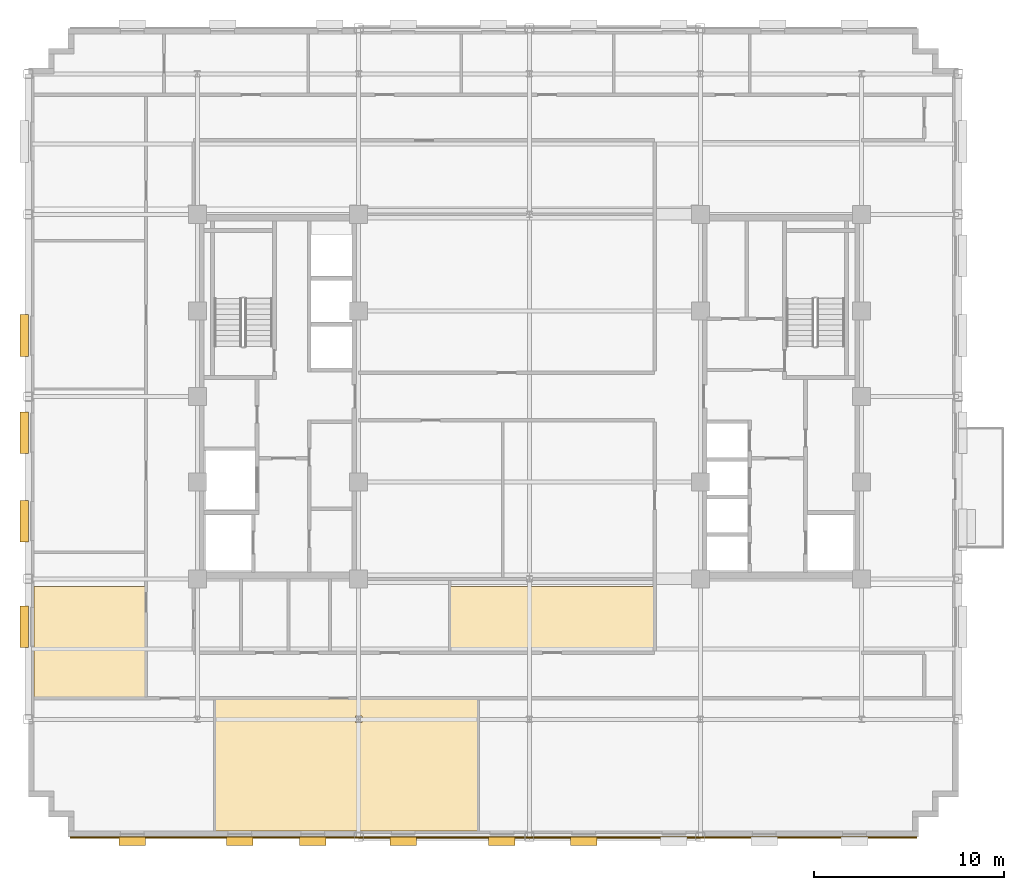
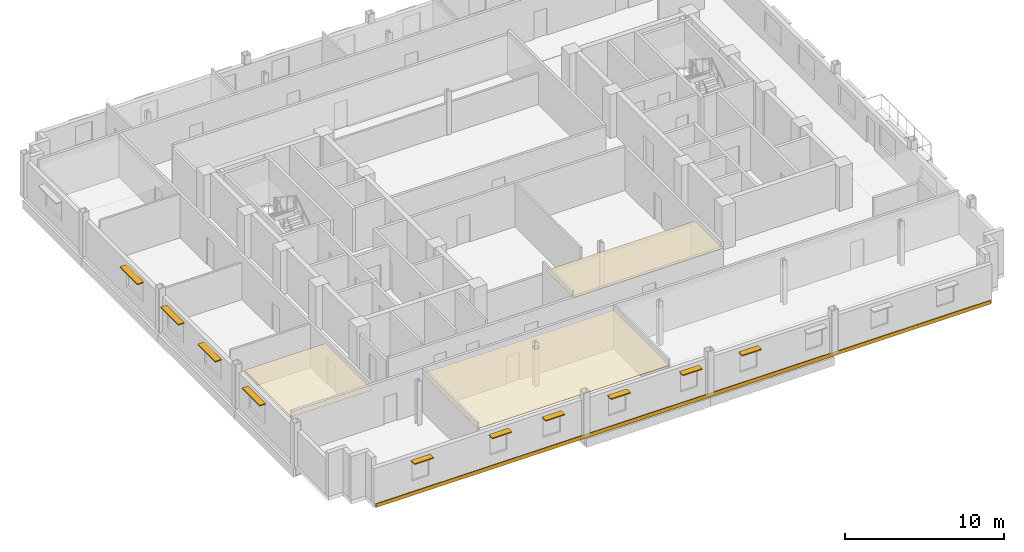
# One storey, part 11 of 15: 10 shading devices, 4 coverings.
"""IFC4 building model written with IfcOpenShell, lengths in metres."""

from ifc_helpers import new_model, si_unit, direction, frame, origin, origin_2d, place, context, subcontext, project, spatial, polyline, rectangle, outline, extrude, source, transform, mapped, material, layer, layer_set, type_object, type_shapes, element, save


model = new_model("IFC4")

# Units and contexts
model_context = context("Model", 3, precision=1e-05, world=origin(), true_north=direction((0.0, 1.0)))
body_context = subcontext(model_context, "Body", "Model", "MODEL_VIEW")
ifc_project = project(units=[si_unit("LENGTHUNIT", "METRE"), si_unit("AREAUNIT", "SQUARE_METRE"), si_unit("VOLUMEUNIT", "CUBIC_METRE"), si_unit("PLANEANGLEUNIT", "RADIAN"), si_unit("MASSUNIT", "GRAM", prefix="KILO")], contexts=[model_context])

# Site, building, storey
site_placement = place(None, origin())
site = spatial("IfcSite", under=ifc_project, at=site_placement, CompositionType="ELEMENT")
building_placement = place(site_placement, origin())
building = spatial("IfcBuilding", under=site, at=building_placement, Name="Nuvemarco Arch Tower", CompositionType="ELEMENT")
storey_placement = place(building_placement, frame((0.0, 0.0, 201.85009765625)))
storey = spatial("IfcBuildingStorey", under=building, at=storey_placement, Name="L53", CompositionType="ELEMENT", Elevation=201.85009765625)

# Coverings
ifc_material_1 = material(Name="Mineral acoustic ceiling tile")
ifc_layer_1 = layer(ifc_material_1, 0.0400390625, Name="COV-ACOUSTIC-CLG")
ifc_layer_set_1 = layer_set([ifc_layer_1], Name="Mineral acoustic ceiling tile")
covering_type_1 = type_object("IfcCoveringType", Name="COV-ACOUSTIC-CLG", PredefinedType="CEILING", material=ifc_layer_set_1)
covering_1_placement = place(storey_placement, frame((0.0, 0.0, 2.849853515625)))
element("IfcCovering", 1, at=covering_1_placement, inside=storey, type_object=covering_type_1, Name="L53 suspended acoustic ceiling 3", PredefinedType="CEILING", context=body_context, shape_type="SweptSolid", body=[
    extrude(outline(polyline([(-16.570068359375, -22.889892578125), (-16.570068359375, -15.89990234375), (-2.7099609375, -15.89990234375), (-2.7099609375, -22.889892578125), (-16.570068359375, -22.889892578125)]), holes=[polyline([(-8.830078125, -17.169921875), (-8.830078125, -16.830078125), (-9.169921875, -16.830078125), (-9.169921875, -17.169921875), (-8.830078125, -17.169921875)])]), origin(), (0.0, 0.0, 1.0), 0.0400390625),
])
covering_2_placement = place(storey_placement, frame((0.0, 0.0, 2.849853515625)))
element("IfcCovering", 2, at=covering_2_placement, inside=storey, type_object=covering_type_1, Name="L53 suspended acoustic ceiling 5", PredefinedType="CEILING", context=body_context, shape_type="SweptSolid", body=[
    extrude(outline(polyline([(-20.199951171875, -15.89990234375), (-26.090087890625, -15.89990234375), (-26.090087890625, -10.0), (-20.199951171875, -10.0), (-20.199951171875, -13.5), (-20.199951171875, -15.89990234375)])), origin(), (0.0, 0.0, 1.0), 0.0400390625),
])
covering_3_placement = place(storey_placement, frame((0.0, 0.0, 2.849853515625)))
element("IfcCovering", 3, at=covering_3_placement, inside=storey, type_object=covering_type_1, Name="L53 suspended acoustic ceiling 7", PredefinedType="CEILING", context=body_context, shape_type="SweptSolid", body=[
    extrude(outline(polyline([(6.60009765625, -13.5), (-4.199951171875, -13.5), (-4.199951171875, -10.0), (6.60009765625, -10.0), (6.60009765625, -13.5)])), origin(), (0.0, 0.0, 1.0), 0.0400390625),
])

# Shading devices
ifc_material_2 = material(Name="Anodised aluminium 6063-T6", Category="aluminium")
shading_device_type_1 = type_object("IfcShadingDeviceType", Name="SHD-BRISE-SOLEIL", PredefinedType="USERDEFINED", material=ifc_material_2)
shared_shape_1 = source(origin(), body_context, "Body", "SweptSolid", [
    extrude(rectangle(XDim=2.199951171875, YDim=0.449951171875, at=origin_2d()), origin(), (0.0, 0.0, 1.0), 0.080078125),
])
type_shapes(shading_device_type_1, [shared_shape_1])
for number, where, z_axis, x_axis, name in (
    (4, (-26.614990234375, -12.125, 2.324951171875), (0.0, 0.0, 1.0), (0.0, 1.0, 0.0), "L53 horizontal brise-soleil sunshade"),
    (5, (-26.614990234375, -6.5625, 2.324951171875), (0.0, 0.0, 1.0), (0.0, 1.0, 0.0), "L53 horizontal brise-soleil sunshade"),
    (6, (-26.614990234375, -1.89990234375, 2.324951171875), (0.0, 0.0, 1.0), (0.0, 1.0, 0.0), "L53 horizontal brise-soleil sunshade"),
    (7, (-26.614990234375, 3.212646484375, 2.324951171875), (0.0, 0.0, 1.0), (0.0, 1.0, 0.0), "L53 horizontal brise-soleil sunshade"),
):
    element("IfcShadingDevice", number, at=place(storey_placement, frame(where, z_axis=z_axis, x_axis=x_axis)), inside=storey, type_object=shading_device_type_1, Name=name, ObjectType="SUNSHADE", PredefinedType="USERDEFINED", context=body_context, shape_type="MappedRepresentation", body=[
        mapped(shared_shape_1, transform((0.0, 0.0, 0.0), scale=1.0)),
    ])
shading_device_type_2 = type_object("IfcShadingDeviceType", Name="SHD-BRISE-NARROW", PredefinedType="USERDEFINED", material=ifc_material_2)
shared_shape_2 = source(origin(), body_context, "Body", "SweptSolid", [
    extrude(rectangle(XDim=1.39990234375, YDim=0.449951171875, at=origin_2d()), origin(), (0.0, 0.0, 1.0), 0.080078125),
])
type_shapes(shading_device_type_2, [shared_shape_2])
for number, where, z_axis, x_axis, name in (
    (8, (-20.922119140625, -23.4150390625, 2.324951171875), (0.0, 0.0, 1.0), (1.0, 0.0, 0.0), "L53 horizontal brise-soleil sunshade"),
    (9, (-15.2666015625, -23.4150390625, 2.324951171875), (0.0, 0.0, 1.0), (1.0, 0.0, 0.0), "L53 horizontal brise-soleil sunshade"),
    (10, (-11.4111328125, -23.4150390625, 2.324951171875), (0.0, 0.0, 1.0), (1.0, 0.0, 0.0), "L53 horizontal brise-soleil sunshade"),
    (11, (-6.655517578125, -23.4150390625, 2.324951171875), (0.0, 0.0, 1.0), (1.0, 0.0, 0.0), "L53 horizontal brise-soleil sunshade"),
    (12, (-1.449951171875, -23.4150390625, 2.324951171875), (0.0, 0.0, 1.0), (1.0, 0.0, 0.0), "L53 horizontal brise-soleil sunshade"),
    (13, (2.855712890625, -23.4150390625, 2.324951171875), (0.0, 0.0, 1.0), (1.0, 0.0, 0.0), "L53 horizontal brise-soleil sunshade"),
):
    element("IfcShadingDevice", number, at=place(storey_placement, frame(where, z_axis=z_axis, x_axis=x_axis)), inside=storey, type_object=shading_device_type_2, Name=name, ObjectType="SUNSHADE", PredefinedType="USERDEFINED", context=body_context, shape_type="MappedRepresentation", body=[
        mapped(shared_shape_2, transform((0.0, 0.0, 0.0), scale=1.0)),
    ])

# Covering
ifc_material_3 = material(Name="Precast concrete C45/55", Category="concrete")
ifc_layer_2 = layer(ifc_material_3, 0.06005859375, Name="COV-SPANDREL-CLAD")
ifc_layer_set_2 = layer_set([ifc_layer_2], Name="Precast concrete C45/55")
covering_type_2 = type_object("IfcCoveringType", Name="COV-SPANDREL-CLAD", PredefinedType="CLADDING", material=ifc_layer_set_2)
shared_shape_3 = source(origin(), body_context, "Body", "SweptSolid", [
    extrude(rectangle(XDim=44.60009765625, YDim=0.06005859375, at=origin_2d()), origin(), (0.0, 0.0, 1.0), 0.280029296875),
])
type_shapes(covering_type_2, [shared_shape_3])
covering_4_placement = place(storey_placement, frame((-1.89990234375, -23.22900390625, -0.2802734375), z_axis=(0.0, 0.0, 1.0), x_axis=(1.0, 0.0, 0.0)))
element("IfcCovering", 14, at=covering_4_placement, inside=storey, type_object=covering_type_2, Name="L53 precast spandrel edge cladding south", PredefinedType="CLADDING", context=body_context, shape_type="MappedRepresentation", body=[
    mapped(shared_shape_3, transform((0.0, 0.0, 0.0), scale=1.0)),
])

save(model, "model.ifc")
